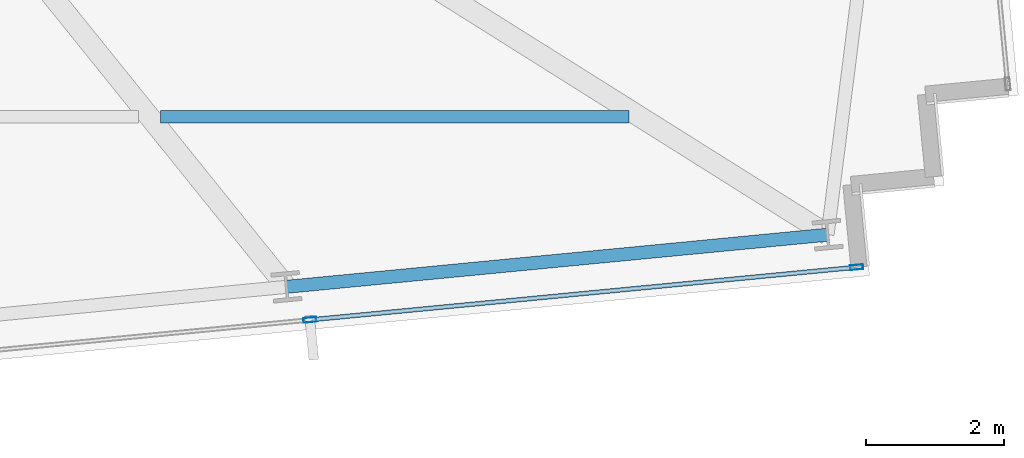
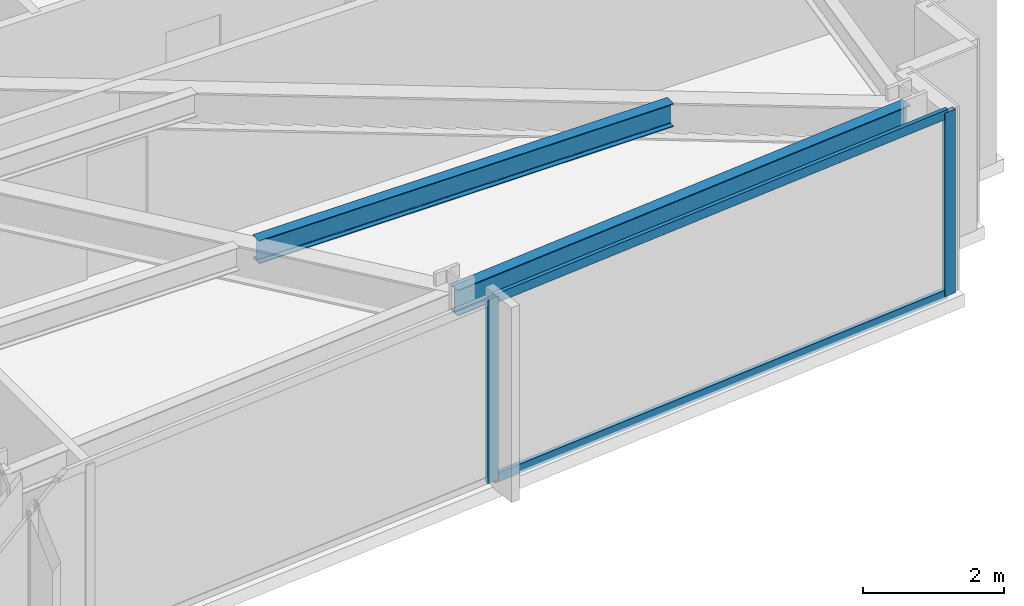
# One storey, part 12 of 33: 4 members, 2 beams, 1 element without a shape of its own.
"""IFC4 building model written with IfcOpenShell, lengths in metres."""

import ifcopenshell
import ifcopenshell.guid

model = None  # the IFC model being written
_history = None  # IfcOwnerHistory: only IFC2X3 demands one
_inside = {}  # id of a spatial element -> (the spatial element, [elements in it])
_under = {}  # id of a project, library or spatial element -> (it, [spatial elements below it])
_declared = {}  # id of a project -> (the project, [libraries it declares])
_typed = {}  # id of a type object -> (the type object, [elements of that type])
_made_of = {}  # id of a material, layer set ... -> (it, [elements and type objects made of it])


def new_model(schema):
    """Start an empty IFC model of exactly this schema.

    Asked for "IFC4X3", IfcOpenShell would pick the latest addendum, in which some entities
    have other attributes; the version numbers below select the first issue.
    IFC2X3 requires an IfcOwnerHistory on every rooted entity: one is made here for all.
    """
    global model, _history
    if schema == "IFC4X3":
        model = ifcopenshell.file(schema_version=(4, 3, 0, 0))
    else:
        model = ifcopenshell.file(schema=schema)
    _inside.clear()
    _under.clear()
    _declared.clear()
    _typed.clear()
    _made_of.clear()
    _history = None
    if model.schema == "IFC2X3":
        org = make("IfcOrganization", Name="unknown")
        user = make(
            "IfcPersonAndOrganization",
            ThePerson=make("IfcPerson", FamilyName="unknown"),
            TheOrganization=org,
        )
        app = make(
            "IfcApplication",
            ApplicationDeveloper=org,
            Version="unknown",
            ApplicationFullName="unknown",
            ApplicationIdentifier="unknown",
        )
        _history = make(
            "IfcOwnerHistory",
            OwningUser=user,
            OwningApplication=app,
            ChangeAction="ADDED",
            CreationDate=0,
        )
    return model


def make(cls, **values):
    """One entity of the class cls with the attributes given. An attribute that is None is left unset."""
    return model.create_entity(
        cls, **{name: value for name, value in values.items() if value is not None}
    )


def rooted(cls, **values):
    """An entity with a GlobalId (a new one), such as an element, a storey or a relation."""
    return make(cls, GlobalId=ifcopenshell.guid.new(), OwnerHistory=_history, **values)


def si_unit(unit_type, name, prefix=None):
    """IfcSIUnit, for example si_unit("LENGTHUNIT", "METRE", prefix="MILLI")."""
    return make("IfcSIUnit", UnitType=unit_type, Prefix=prefix, Name=name)


def assignment(units):
    """IfcUnitAssignment: the units of a project."""
    return None if units is None else make("IfcUnitAssignment", Units=units)


def point(xyz):
    """IfcCartesianPoint."""
    return None if xyz is None else make("IfcCartesianPoint", Coordinates=xyz)


def direction(xyz):
    """IfcDirection."""
    return None if xyz is None else make("IfcDirection", DirectionRatios=xyz)


def frame(location, z_axis=None, x_axis=None):
    """IfcAxis2Placement3D, a coordinate frame: its origin and axes. An axis left out is left unset."""
    return make(
        "IfcAxis2Placement3D",
        Location=point(location),
        Axis=direction(z_axis),
        RefDirection=direction(x_axis),
    )


def frame_2d(location, x_axis=None):
    """IfcAxis2Placement2D, a coordinate frame in the plane: its origin and x axis."""
    return make(
        "IfcAxis2Placement2D", Location=point(location), RefDirection=direction(x_axis)
    )


def origin():
    """The frame at (0, 0, 0) with its axes left unset."""
    return frame((0.0, 0.0, 0.0))


def origin_2d():
    """The frame at (0, 0) in the plane with its x axis left unset."""
    return frame_2d((0.0, 0.0))


def place(relative_to, where):
    """IfcLocalPlacement: puts the frame where relative to a parent placement (None: the world)."""
    return make(
        "IfcLocalPlacement", PlacementRelTo=relative_to, RelativePlacement=where
    )


def context(
    kind, dimensions, precision=None, world=None, true_north=None, identifier=None
):
    """IfcGeometricRepresentationContext, for example the 3D "Model" context."""
    return make(
        "IfcGeometricRepresentationContext",
        ContextIdentifier=identifier,
        ContextType=kind,
        CoordinateSpaceDimension=dimensions,
        Precision=precision,
        WorldCoordinateSystem=world,
        TrueNorth=true_north,
    )


def subcontext(parent, identifier, kind, view, scale=None):
    """IfcGeometricRepresentationSubContext, for example "Body" below "Model"."""
    return make(
        "IfcGeometricRepresentationSubContext",
        ContextIdentifier=identifier,
        ContextType=kind,
        ParentContext=parent,
        TargetScale=scale,
        TargetView=view,
    )


def project(units=None, contexts=None):
    """IfcProject with its units and contexts."""
    return rooted(
        "IfcProject",
        Name="project",
        RepresentationContexts=contexts,
        UnitsInContext=assignment(units),
    )


def spatial(cls, under=None, at=None, **own):
    """A site, building, storey or space (cls), placed at a placement, below another one or the project."""
    s = rooted(cls, ObjectPlacement=at, **own)
    if under is not None:
        _under.setdefault(under.id(), (under, []))[1].append(s)
    return s


def profile(cls, at=None, kind="AREA", **sizes):
    """A parametric profile (cls). Its sizes go by their IFC names, for example OverallWidth=200.0."""
    return make(cls, ProfileType=kind, Position=at, **sizes)


def hollow_rectangle(**sizes):
    """IfcRectangleHollowProfileDef."""
    return profile("IfcRectangleHollowProfileDef", **sizes)


def i_section(**sizes):
    """IfcIShapeProfileDef."""
    return profile("IfcIShapeProfileDef", **sizes)


def extrude(swept, where, along, depth):
    """IfcExtrudedAreaSolid: the profile swept, set in the frame where, extruded along a direction by depth."""
    return make(
        "IfcExtrudedAreaSolid",
        SweptArea=swept,
        Position=where,
        ExtrudedDirection=direction(along),
        Depth=depth,
    )


def shape(context_of_items, identifier, shape_type, items):
    """IfcShapeRepresentation: the items that make up one representation, for example the "Body"."""
    return make(
        "IfcShapeRepresentation",
        ContextOfItems=context_of_items,
        RepresentationIdentifier=identifier,
        RepresentationType=shape_type,
        Items=items,
    )


def material(Name=None, Category=None):
    """IfcMaterial."""
    return make("IfcMaterial", Name=Name, Category=Category)


def material_profile(
    of_material, cross_section, Name=None, Category=None, Priority=None
):
    """IfcMaterialProfile: a cross section and its material."""
    return make(
        "IfcMaterialProfile",
        Name=Name,
        Material=of_material,
        Profile=cross_section,
        Priority=Priority,
        Category=Category,
    )


def profile_set(profiles, Name=None, composite=None):
    """IfcMaterialProfileSet."""
    return make(
        "IfcMaterialProfileSet",
        Name=Name,
        MaterialProfiles=profiles,
        CompositeProfile=composite,
    )


def made_of(thing, what):
    """Note that an element or type object is made of a material, layer set ...; save() writes the relation."""
    if what is not None:
        _made_of.setdefault(what.id(), (what, []))[1].append(thing)
    return thing


def type_object(cls, material=None, **own):
    """A type object (cls), such as IfcWallType, which elements share."""
    return made_of(rooted(cls, **own), material)


def element(
    cls,
    number,
    at=None,
    inside=None,
    cuts=None,
    type_object=None,
    material=None,
    context=None,
    identifier="Body",
    shape_type=None,
    held_by="IfcProductDefinitionShape",
    body=None,
    shapes=None,
    **own,
):
    """One element of the class cls, such as IfcWall. Its Tag is "e" and its number.

    at: its placement. inside: the storey or other place that contains it. cuts: it is an
    opening in that element (IfcRelVoidsElement). A single representation is given by context,
    identifier, shape_type and body (its items); several are given by shapes. held_by: the class
    of the entity that holds the representations. save() writes the other relations.
    """
    e = rooted(cls, Tag="e%d" % number, ObjectPlacement=at, **own)
    if body is not None:
        shapes = [shape(context, identifier, shape_type, body)]
    if shapes is not None:
        e.Representation = make(held_by, Representations=shapes)
    if inside is not None:
        _inside.setdefault(inside.id(), (inside, []))[1].append(e)
    if cuts is not None:
        rooted(
            "IfcRelVoidsElement", RelatingBuildingElement=cuts, RelatedOpeningElement=e
        )
    if type_object is not None:
        _typed.setdefault(type_object.id(), (type_object, []))[1].append(e)
    return made_of(e, material)


def aggregate(whole, parts):
    """IfcRelAggregates: a whole, such as a stair, and the parts it consists of."""
    return rooted("IfcRelAggregates", RelatingObject=whole, RelatedObjects=parts)


def save(model, path):
    """Write the relations noted so far, then the file.

    IfcRelAggregates (storeys below a building ...), IfcRelContainedInSpatialStructure (elements
    in a storey), IfcRelDefinesByType, IfcRelAssociatesMaterial and IfcRelDeclares: one each for
    every whole, place, type object, material and project.
    """
    for whole, parts in _under.values():
        aggregate(whole, parts)
    for where, things in _inside.values():
        rooted(
            "IfcRelContainedInSpatialStructure",
            RelatedElements=things,
            RelatingStructure=where,
        )
    for kind, things in _typed.values():
        rooted("IfcRelDefinesByType", RelatedObjects=things, RelatingType=kind)
    for what, things in _made_of.values():
        rooted("IfcRelAssociatesMaterial", RelatedObjects=things, RelatingMaterial=what)
    for by, libraries in _declared.values():
        rooted("IfcRelDeclares", RelatingContext=by, RelatedDefinitions=libraries)
    model.write(path)


model = new_model("IFC4")

# Units and contexts
model_context = context("Model", 3, precision=1e-05, world=origin(), true_north=direction((0.0, 1.0)))
body_context = subcontext(model_context, "Body", "Model", "MODEL_VIEW")
ifc_project = project(units=[si_unit("LENGTHUNIT", "METRE"), si_unit("AREAUNIT", "SQUARE_METRE"), si_unit("VOLUMEUNIT", "CUBIC_METRE"), si_unit("PLANEANGLEUNIT", "RADIAN"), si_unit("MASSUNIT", "GRAM", prefix="KILO")], contexts=[model_context])

# Site, building, storey
site_placement = place(None, origin())
site = spatial("IfcSite", under=ifc_project, at=site_placement, CompositionType="ELEMENT")
building_placement = place(site_placement, origin())
building = spatial("IfcBuilding", under=site, at=building_placement, Name="Yelkora Congress Tower", CompositionType="ELEMENT")
storey_placement = place(building_placement, frame((0.0, 0.0, 127.10009765625)))
storey = spatial("IfcBuildingStorey", under=building, at=storey_placement, Name="L34", CompositionType="ELEMENT", Elevation=127.10009765625)

# Beams
ifc_material_1 = material(Name="Steel S355J2", Category="steel")
ifc_material_profile_1 = material_profile(ifc_material_1, i_section(OverallWidth=0.179931640625, OverallDepth=0.39990234375, WebThickness=0.008544921875, FlangeThickness=0.013427734375, FilletRadius=0.02099609375, at=origin_2d()), Name="IPE 400")
ifc_profile_set_1 = profile_set([ifc_material_profile_1], Name="Steel S355J2")
beam_type_1 = type_object("IfcBeamType", Name="BM-JOIST-IPE400", PredefinedType="JOIST", material=ifc_profile_set_1)
beam_1_placement = place(storey_placement, frame((65.056396484375, 16.144287109375, 2.97998046875), z_axis=(1.0, 0.0, 0.0), x_axis=(0.0, 1.0, 0.0)))
element("IfcBeam", 1, at=beam_1_placement, inside=storey, type_object=beam_type_1, Name="L34 Composite Floor Joist 10", PredefinedType="JOIST", context=body_context, shape_type="SweptSolid", body=[
    extrude(i_section(OverallWidth=0.179931640625, OverallDepth=0.39990234375, WebThickness=0.008544921875, FlangeThickness=0.013427734375, FilletRadius=0.02099609375, at=origin_2d()), origin(), (0.0, 0.0, 1.0), 6.795166015625),
])
ifc_material_profile_2 = material_profile(ifc_material_1, i_section(OverallWidth=0.18994140625, OverallDepth=0.449951171875, WebThickness=0.009521484375, FlangeThickness=0.0146484375, FilletRadius=0.02099609375, at=origin_2d()), Name="IPE 450")
ifc_profile_set_2 = profile_set([ifc_material_profile_2], Name="Steel S355J2")
beam_type_2 = type_object("IfcBeamType", Name="BM-SPAN-IPE450", PredefinedType="SPANDREL", material=ifc_profile_set_2)
beam_2_placement = place(storey_placement, frame((66.882568359375, 13.67919921875, 2.954833984375), z_axis=(0.995395575667, 0.095852219286, 0.0), x_axis=(-0.095852219286, 0.995395575667, 0.0)))
element("IfcBeam", 2, at=beam_2_placement, inside=storey, type_object=beam_type_2, Name="L34 Perimeter Beam 9", PredefinedType="SPANDREL", context=body_context, shape_type="SweptSolid", body=[
    extrude(i_section(OverallWidth=0.18994140625, OverallDepth=0.449951171875, WebThickness=0.009521484375, FlangeThickness=0.0146484375, FilletRadius=0.02099609375, at=origin_2d()), origin(), (0.0, 0.0, 1.0), 7.8857421875),
])

# Curtain wall, members
ifc_material_2 = material(Name="Anodised aluminium and insulated glass", Category="aluminium")
curtain_wall_type = type_object("IfcCurtainWallType", Name="CW-SYS-B2", PredefinedType="NOTDEFINED", material=ifc_material_2)
curtain_wall_placement = place(storey_placement, origin())
curtain_wall = element("IfcCurtainWall", 3, at=curtain_wall_placement, inside=storey, type_object=curtain_wall_type, Name="L34 Unitised Curtain Wall 20", PredefinedType="NOTDEFINED")
ifc_material_3 = material(Name="Anodised aluminium 6063-T6", Category="aluminium")
ifc_material_profile_3 = material_profile(ifc_material_3, hollow_rectangle(XDim=0.070068359375, YDim=0.18994140625, WallThickness=0.00390625, at=origin_2d()), Name="ALU 70x190x4")
ifc_profile_set_3 = profile_set([ifc_material_profile_3], Name="Anodised aluminium 6063-T6")
member_type_1 = type_object("IfcMemberType", Name="MEM-ML-B2", PredefinedType="MULLION", material=ifc_profile_set_3)
member_1_placement = place(storey_placement, frame((75.154052734375, 13.96337890625, 0.0), z_axis=(0.0, 0.0, 1.0), x_axis=(0.095844345816, -0.995396333816, 0.0)))
member_1 = element("IfcMember", 4, at=member_1_placement, type_object=member_type_1, Name="CW-B2 mullion 1", PredefinedType="MULLION", context=body_context, shape_type="SweptSolid", body=[
    extrude(hollow_rectangle(XDim=0.070068359375, YDim=0.18994140625, WallThickness=0.00390625, at=origin_2d()), origin(), (0.0, 0.0, 1.0), 3.179931640625),
])
member_2_placement = place(storey_placement, frame((67.222900390625, 13.19970703125, 0.0), z_axis=(0.0, 0.0, 1.0), x_axis=(0.095844345816, -0.995396333816, 0.0)))
member_2 = element("IfcMember", 5, at=member_2_placement, type_object=member_type_1, Name="CW-B2 mullion 2", PredefinedType="MULLION", context=body_context, shape_type="SweptSolid", body=[
    extrude(hollow_rectangle(XDim=0.070068359375, YDim=0.18994140625, WallThickness=0.00390625, at=origin_2d()), origin(), (0.0, 0.0, 1.0), 3.179931640625),
])
ifc_material_profile_4 = material_profile(ifc_material_3, hollow_rectangle(XDim=0.06494140625, YDim=0.159912109375, WallThickness=0.00390625, at=origin_2d()), Name="ALU 65x160x4")
ifc_profile_set_4 = profile_set([ifc_material_profile_4], Name="Anodised aluminium 6063-T6")
member_type_2 = type_object("IfcMemberType", Name="MEM-TR-B2", PredefinedType="USERDEFINED", material=ifc_profile_set_4)
member_3_placement = place(storey_placement, frame((75.119140625, 13.9599609375, 0.032470703125), z_axis=(-0.995397978421, -0.095827264157, 0.0), x_axis=(0.095827264157, -0.995397978421, 0.0)))
member_3 = element("IfcMember", 6, at=member_3_placement, type_object=member_type_2, Name="CW-B2 transom 1.1", ObjectType="TRANSOM", PredefinedType="USERDEFINED", context=body_context, shape_type="SweptSolid", body=[
    extrude(hollow_rectangle(XDim=0.06494140625, YDim=0.159912109375, WallThickness=0.00390625, at=origin_2d()), origin(), (0.0, 0.0, 1.0), 7.89794921875),
])
member_4_placement = place(storey_placement, frame((75.119140625, 13.9599609375, 3.1474609375), z_axis=(-0.995397978421, -0.095827264157, 0.0), x_axis=(0.095827264157, -0.995397978421, 0.0)))
member_4 = element("IfcMember", 7, at=member_4_placement, type_object=member_type_2, Name="CW-B2 transom 1.2", ObjectType="TRANSOM", PredefinedType="USERDEFINED", context=body_context, shape_type="SweptSolid", body=[
    extrude(hollow_rectangle(XDim=0.06494140625, YDim=0.159912109375, WallThickness=0.00390625, at=origin_2d()), origin(), (0.0, 0.0, 1.0), 7.89794921875),
])
aggregate(curtain_wall, [member_1, member_2, member_3, member_4])

save(model, "model.ifc")
